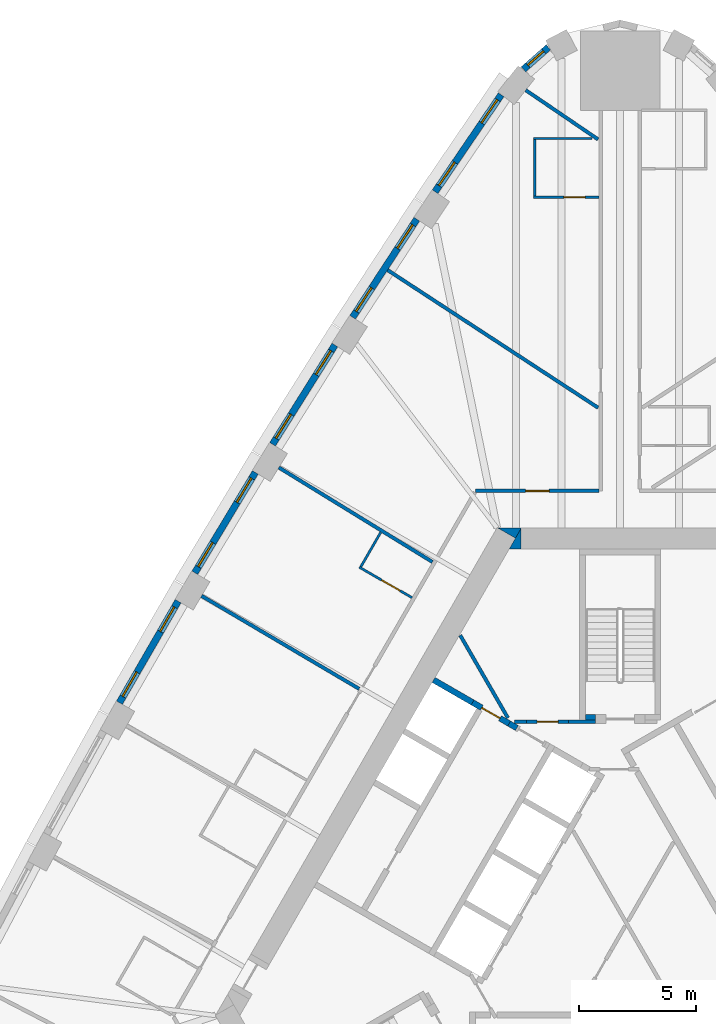
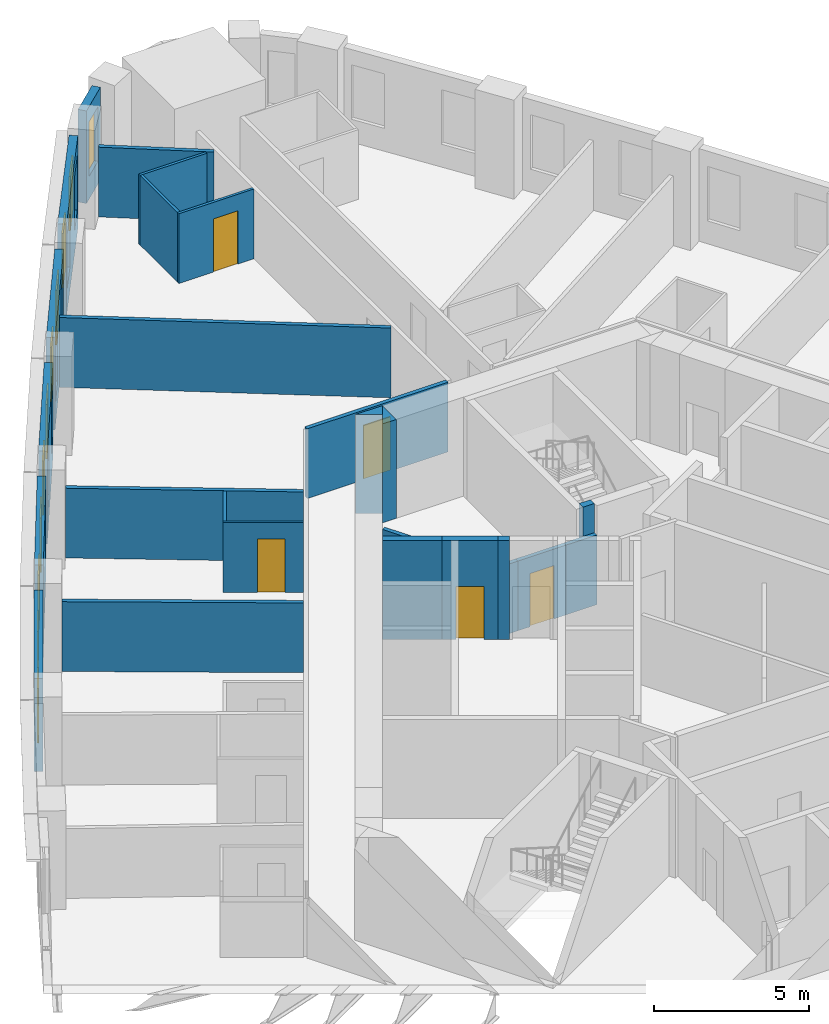
# One storey, part 9 of 12: 26 walls, 11 windows, 5 doors, 16 openings.
"""IFC4 building model written with IfcOpenShell, lengths in metres."""

from ifc_helpers import new_model, si_unit, direction, frame, frame_2d, origin, place, context, subcontext, project, spatial, polyline, rectangle, outline, extrude, material, layer, layer_set, type_object, element, fill, save


model = new_model("IFC4")

# Units and contexts
model_context = context("Model", 3, precision=1e-05, world=origin(), true_north=direction((0.0, 1.0)))
body_context = subcontext(model_context, "Body", "Model", "MODEL_VIEW")
ifc_project = project(units=[si_unit("LENGTHUNIT", "METRE"), si_unit("AREAUNIT", "SQUARE_METRE"), si_unit("VOLUMEUNIT", "CUBIC_METRE"), si_unit("PLANEANGLEUNIT", "RADIAN"), si_unit("MASSUNIT", "GRAM", prefix="KILO")], contexts=[model_context])

# Site, building, storey
site_placement = place(None, origin())
site = spatial("IfcSite", under=ifc_project, at=site_placement, CompositionType="ELEMENT")
building_placement = place(site_placement, origin())
building = spatial("IfcBuilding", under=site, at=building_placement, Name="Mestral Congress Tower", CompositionType="ELEMENT")
storey_placement = place(building_placement, frame((0.0, 0.0, 43.199951171875)))
storey = spatial("IfcBuildingStorey", under=building, at=storey_placement, Name="L09", CompositionType="ELEMENT", Elevation=43.199951171875)

# Walls
ifc_material_1 = material(Name="Fire-rated board partition")
ifc_layer_1 = layer(ifc_material_1, 0.14990234375)
ifc_layer_set_1 = layer_set([ifc_layer_1], Name="Fire-rated board partition")
wall_type_1 = type_object("IfcWallType", Name="Core partition 150", PredefinedType="PARTITIONING", material=ifc_layer_set_1)
wall_1_placement = place(storey_placement, frame((-2.195068359375, 8.62548828125, 0.0), z_axis=(0.0, 0.0, 1.0), x_axis=(1.0, 0.0, 0.0)))
element("IfcWall", 1, at=wall_1_placement, inside=storey, type_object=wall_type_1, Name="L09 core wall", PredefinedType="PARTITIONING", context=body_context, shape_type="SweptSolid", body=[
    extrude(rectangle(XDim=1.14501953125, YDim=0.14990234375, at=frame_2d((0.572509765625, 0.0))), origin(), (0.0, 0.0, 1.0), 2.75),
])
wall_2_placement = place(storey_placement, frame((-6.8232421875, 12.318115234375, 0.0), z_axis=(0.0, 0.0, 1.0), x_axis=(0.500007885066, -0.866020851292, 0.0)))
element("IfcWall", 2, at=wall_2_placement, inside=storey, type_object=wall_type_1, Name="L09 core wall", PredefinedType="PARTITIONING", context=body_context, shape_type="SweptSolid", body=[
    extrude(rectangle(XDim=4.072265625, YDim=0.14990234375, at=frame_2d((2.0361328125, 0.0))), origin(), (0.0, 0.0, 1.0), 2.75),
])
wall_3_placement = place(storey_placement, frame((-4.497802734375, 8.625244140625, 0.0), z_axis=(0.0, 0.0, 1.0), x_axis=(1.0, 0.0, 0.0)))
element("IfcWall", 3, at=wall_3_placement, inside=storey, type_object=wall_type_1, Name="L09 core wall", PredefinedType="PARTITIONING", context=body_context, shape_type="SweptSolid", body=[
    extrude(rectangle(XDim=0.50244140625, YDim=0.14990234375, at=frame_2d((0.251220703125, 0.0))), origin(), (0.0, 0.0, 1.0), 2.75),
])

# Wall, opening, door
wall_4_placement = place(storey_placement, frame((-2.1953125, 8.625, 0.0), z_axis=(0.0, 0.0, 1.0), x_axis=(-1.0, 0.0, 0.0)))
wall_4 = element("IfcWall", 4, at=wall_4_placement, inside=storey, type_object=wall_type_1, Name="L09 door wall", PredefinedType="PARTITIONING", context=body_context, shape_type="SweptSolid", body=[
    extrude(rectangle(XDim=1.7998046875, YDim=0.14990234375, at=frame_2d((0.89990234375, 0.0))), origin(), (0.0, 0.0, 1.0), 2.75),
])
opening_1_placement = place(wall_4_placement, frame((0.449951171875, 0.0, 0.0)))
opening_1 = element("IfcOpeningElement", 5, at=opening_1_placement, cuts=wall_4, Name="Opening TD2", PredefinedType="OPENING", context=body_context, shape_type="SweptSolid", body=[
    extrude(rectangle(XDim=0.89990234375, YDim=2.10009765625, at=frame_2d((0.449951171875, 1.050048828125))), frame((0.0, 0.0849609375, 0.0), z_axis=(0.0, -1.0, 0.0), x_axis=(1.0, 0.0, 0.0)), (0.0, 0.0, 1.0), 0.169921875),
])
ifc_material_2 = material(Name="Fire-rated steel door set", Category="steel")
door_type_1 = type_object("IfcDoorType", Name="Core door SR 900x2100", OperationType="SINGLE_SWING_LEFT", PredefinedType="DOOR", material=ifc_material_2)
door_1_placement = place(opening_1_placement, origin())
door_1 = element("IfcDoor", 6, at=door_1_placement, inside=storey, type_object=door_type_1, Name="Door TD2", OperationType="SINGLE_SWING_LEFT", OverallHeight=2.10009765625, OverallWidth=0.89990234375, PredefinedType="DOOR", context=body_context, shape_type="SweptSolid", body=[
    extrude(rectangle(XDim=0.89990234375, YDim=2.10009765625, at=frame_2d((0.449951171875, 1.050048828125))), frame((0.0, 0.02490234375, 0.0), z_axis=(0.0, -1.0, 0.0), x_axis=(1.0, 0.0, 0.0)), (0.0, 0.0, 1.0), 0.050048828125),
])
fill(opening_1, door_1)

# Walls
ifc_material_3 = material(Name="Concrete C60/75", Category="concrete")
ifc_layer_2 = layer(ifc_material_3, 0.89990234375)
ifc_layer_set_2 = layer_set([ifc_layer_2], Name="Concrete C60/75")
wall_type_2 = type_object("IfcWallType", Name="Core wall RC 900", PredefinedType="SOLIDWALL", material=ifc_layer_set_2)
placement = place(storey_placement, origin())
element("IfcWall", 7, at=placement, inside=storey, type_object=wall_type_2, Name="L09 core wall", PredefinedType="SOLIDWALL", context=body_context, shape_type="SweptSolid", body=[
    extrude(outline(polyline([(-4.214599609375, 16.89990234375), (-4.46875, 16.460205078125), (-5.230712890625, 16.89990234375), (-4.214599609375, 16.89990234375)])), origin(), (0.0, 0.0, 1.0), 3.900146484375),
])
element("IfcWall", 8, at=placement, inside=storey, type_object=wall_type_2, Name="L09 core wall", PredefinedType="SOLIDWALL", context=body_context, shape_type="SweptSolid", body=[
    extrude(outline(polyline([(-4.734375, 16.0), (-4.226318359375, 16.8798828125), (-4.226318359375, 16.0), (-4.734375, 16.0)])), origin(), (0.0, 0.0, 1.0), 3.900146484375),
])

# Wall, opening, window
ifc_material_4 = material(Name="Precast concrete C40/50 with limestone facing", Category="masonry")
ifc_layer_3 = layer(ifc_material_4, 0.2900390625)
ifc_layer_set_3 = layer_set([ifc_layer_3], Name="Precast concrete C40/50 with limestone facing")
wall_type_3 = type_object("IfcWallType", Name="Facade stone wall 290", PredefinedType="SOLIDWALL", material=ifc_layer_set_3)
wall_7_placement = place(storey_placement, frame((-3.064453125, 37.395263671875, 0.0), z_axis=(0.0, 0.0, 1.0), x_axis=(-0.749812680302, -0.661650167731, 0.0)))
wall_7 = element("IfcWall", 9, at=wall_7_placement, inside=storey, type_object=wall_type_3, Name="Facade wall K1-3", PredefinedType="SOLIDWALL", context=body_context, shape_type="SweptSolid", body=[
    extrude(rectangle(XDim=1.4150390625, YDim=0.2900390625, at=frame_2d((0.70751953125, 0.0))), origin(), (0.0, 0.0, 1.0), 3.650146484375),
])
opening_2_placement = place(wall_7_placement, frame((0.257568359375, 0.0, 0.89990234375)))
opening_2 = element("IfcOpeningElement", 10, at=opening_2_placement, cuts=wall_7, Name="Opening W3", PredefinedType="OPENING", context=body_context, shape_type="SweptSolid", body=[
    extrude(rectangle(XDim=0.89990234375, YDim=2.14990234375, at=frame_2d((0.449951171875, 1.074951171875))), frame((0.0, 0.155029296875, 0.0), z_axis=(0.0, -1.0, 0.0), x_axis=(1.0, 0.0, 0.0)), (0.0, 0.0, 1.0), 0.31005859375),
])
ifc_material_5 = material(Name="Clear low-emissivity double glazing", Category="glass")
window_type_1 = type_object("IfcWindowType", Name="Facade punched window 900 x 2150 sill 900", PartitioningType="SINGLE_PANEL", PredefinedType="WINDOW", material=ifc_material_5)
window_1_placement = place(opening_2_placement, origin())
window_1 = element("IfcWindow", 11, at=window_1_placement, inside=storey, type_object=window_type_1, Name="Window K1-3", OverallHeight=2.14990234375, OverallWidth=0.89990234375, PartitioningType="SINGLE_PANEL", PredefinedType="WINDOW", context=body_context, shape_type="SweptSolid", body=[
    extrude(rectangle(XDim=0.89990234375, YDim=2.14990234375, at=frame_2d((0.449951171875, 1.074951171875))), frame((0.0, 0.01513671875, 0.0), z_axis=(0.0, -1.0, 0.0), x_axis=(1.0, 0.0, 0.0)), (0.0, 0.0, 1.0), 0.06005859375),
])
fill(opening_2, window_1)

# Wall, openings, windows
wall_8_placement = place(storey_placement, frame((-5.078369140625, 35.37646484375, 0.0), z_axis=(0.0, 0.0, 1.0), x_axis=(-0.562610153679, -0.826722332454, 0.0)))
wall_8 = element("IfcWall", 12, at=wall_8_placement, inside=storey, type_object=wall_type_3, Name="Facade wall F2-00", PredefinedType="SOLIDWALL", context=body_context, shape_type="SweptSolid", body=[
    extrude(rectangle(XDim=5.005615234375, YDim=0.2900390625, at=frame_2d((2.5029296875, 0.0))), origin(), (0.0, 0.0, 1.0), 3.650146484375),
])
opening_3_placement = place(wall_8_placement, frame((0.26513671875, 0.0, 0.89990234375)))
opening_3 = element("IfcOpeningElement", 13, at=opening_3_placement, cuts=wall_8, Name="Opening W1", PredefinedType="OPENING", context=body_context, shape_type="SweptSolid", body=[
    extrude(rectangle(XDim=1.199951171875, YDim=2.14990234375, at=frame_2d((0.60009765625, 1.074951171875))), frame((0.0, 0.155029296875, 0.0), z_axis=(0.0, -1.0, 0.0), x_axis=(1.0, 0.0, 0.0)), (0.0, 0.0, 1.0), 0.31005859375),
])
opening_4_placement = place(wall_8_placement, frame((3.495361328125, 0.0, 0.89990234375)))
opening_4 = element("IfcOpeningElement", 14, at=opening_4_placement, cuts=wall_8, Name="Opening W1", PredefinedType="OPENING", context=body_context, shape_type="SweptSolid", body=[
    extrude(rectangle(XDim=1.199951171875, YDim=2.14990234375, at=frame_2d((0.60009765625, 1.074951171875))), frame((0.0, 0.155029296875, 0.0), z_axis=(0.0, -1.0, 0.0), x_axis=(1.0, 0.0, 0.0)), (0.0, 0.0, 1.0), 0.31005859375),
])
window_type_2 = type_object("IfcWindowType", Name="Facade punched window 1200 x 2150 sill 900", PartitioningType="DOUBLE_PANEL_VERTICAL", PredefinedType="WINDOW", material=ifc_material_5)
window_2_placement = place(opening_3_placement, origin())
window_2 = element("IfcWindow", 15, at=window_2_placement, inside=storey, type_object=window_type_2, Name="Window F2-00a", OverallHeight=2.14990234375, OverallWidth=1.199951171875, PartitioningType="DOUBLE_PANEL_VERTICAL", PredefinedType="WINDOW", context=body_context, shape_type="SweptSolid", body=[
    extrude(rectangle(XDim=1.199951171875, YDim=2.14990234375, at=frame_2d((0.60009765625, 1.074951171875))), frame((0.0, 0.01513671875, 0.0), z_axis=(0.0, -1.0, 0.0), x_axis=(1.0, 0.0, 0.0)), (0.0, 0.0, 1.0), 0.06005859375),
])
fill(opening_3, window_2)
window_3_placement = place(opening_4_placement, origin())
window_3 = element("IfcWindow", 16, at=window_3_placement, inside=storey, type_object=window_type_2, Name="Window F2-00b", OverallHeight=2.14990234375, OverallWidth=1.199951171875, PartitioningType="DOUBLE_PANEL_VERTICAL", PredefinedType="WINDOW", context=body_context, shape_type="SweptSolid", body=[
    extrude(rectangle(XDim=1.199951171875, YDim=2.14990234375, at=frame_2d((0.60009765625, 1.074951171875))), frame((0.0, 0.01513671875, 0.0), z_axis=(0.0, -1.0, 0.0), x_axis=(1.0, 0.0, 0.0)), (0.0, 0.0, 1.0), 0.06005859375),
])
fill(opening_4, window_3)

wall_9_placement = place(storey_placement, frame((-8.675537109375, 30.067626953125, 0.0), z_axis=(0.0, 0.0, 1.0), x_axis=(-0.547204617628, -0.836998868845, 0.0)))
wall_9 = element("IfcWall", 17, at=wall_9_placement, inside=storey, type_object=wall_type_3, Name="Facade wall F2-01", PredefinedType="SOLIDWALL", context=body_context, shape_type="SweptSolid", body=[
    extrude(rectangle(XDim=4.998291015625, YDim=0.2900390625, at=frame_2d((2.4990234375, 0.0))), origin(), (0.0, 0.0, 1.0), 3.650146484375),
])
opening_5_placement = place(wall_9_placement, frame((0.297119140625, 0.0, 0.89990234375)))
opening_5 = element("IfcOpeningElement", 18, at=opening_5_placement, cuts=wall_9, Name="Opening W1", PredefinedType="OPENING", context=body_context, shape_type="SweptSolid", body=[
    extrude(rectangle(XDim=1.199951171875, YDim=2.14990234375, at=frame_2d((0.60009765625, 1.074951171875))), frame((0.0, 0.155029296875, 0.0), z_axis=(0.0, -1.0, 0.0), x_axis=(1.0, 0.0, 0.0)), (0.0, 0.0, 1.0), 0.31005859375),
])
opening_6_placement = place(wall_9_placement, frame((3.501220703125, 0.0, 0.89990234375)))
opening_6 = element("IfcOpeningElement", 19, at=opening_6_placement, cuts=wall_9, Name="Opening W1", PredefinedType="OPENING", context=body_context, shape_type="SweptSolid", body=[
    extrude(rectangle(XDim=1.199951171875, YDim=2.14990234375, at=frame_2d((0.60009765625, 1.074951171875))), frame((0.0, 0.155029296875, 0.0), z_axis=(0.0, -1.0, 0.0), x_axis=(1.0, 0.0, 0.0)), (0.0, 0.0, 1.0), 0.31005859375),
])
window_4_placement = place(opening_5_placement, origin())
window_4 = element("IfcWindow", 20, at=window_4_placement, inside=storey, type_object=window_type_2, Name="Window F2-01a", OverallHeight=2.14990234375, OverallWidth=1.199951171875, PartitioningType="DOUBLE_PANEL_VERTICAL", PredefinedType="WINDOW", context=body_context, shape_type="SweptSolid", body=[
    extrude(rectangle(XDim=1.199951171875, YDim=2.14990234375, at=frame_2d((0.60009765625, 1.074951171875))), frame((0.0, 0.01513671875, 0.0), z_axis=(0.0, -1.0, 0.0), x_axis=(1.0, 0.0, 0.0)), (0.0, 0.0, 1.0), 0.06005859375),
])
fill(opening_5, window_4)
window_5_placement = place(opening_6_placement, origin())
window_5 = element("IfcWindow", 21, at=window_5_placement, inside=storey, type_object=window_type_2, Name="Window F2-01b", OverallHeight=2.14990234375, OverallWidth=1.199951171875, PartitioningType="DOUBLE_PANEL_VERTICAL", PredefinedType="WINDOW", context=body_context, shape_type="SweptSolid", body=[
    extrude(rectangle(XDim=1.199951171875, YDim=2.14990234375, at=frame_2d((0.60009765625, 1.074951171875))), frame((0.0, 0.01513671875, 0.0), z_axis=(0.0, -1.0, 0.0), x_axis=(1.0, 0.0, 0.0)), (0.0, 0.0, 1.0), 0.06005859375),
])
fill(opening_6, window_5)

wall_10_placement = place(storey_placement, frame((-12.169921875, 24.69921875, 0.0), z_axis=(0.0, 0.0, 1.0), x_axis=(-0.531688286542, -0.846940119462, 0.0)))
wall_10 = element("IfcWall", 22, at=wall_10_placement, inside=storey, type_object=wall_type_3, Name="Facade wall F2-02", PredefinedType="SOLIDWALL", context=body_context, shape_type="SweptSolid", body=[
    extrude(rectangle(XDim=4.998291015625, YDim=0.2900390625, at=frame_2d((2.4990234375, 0.0))), origin(), (0.0, 0.0, 1.0), 3.650146484375),
])
opening_7_placement = place(wall_10_placement, frame((0.297119140625, 0.0, 0.89990234375)))
opening_7 = element("IfcOpeningElement", 23, at=opening_7_placement, cuts=wall_10, Name="Opening W1", PredefinedType="OPENING", context=body_context, shape_type="SweptSolid", body=[
    extrude(rectangle(XDim=1.199951171875, YDim=2.14990234375, at=frame_2d((0.60009765625, 1.074951171875))), frame((0.0, 0.155029296875, 0.0), z_axis=(0.0, -1.0, 0.0), x_axis=(1.0, 0.0, 0.0)), (0.0, 0.0, 1.0), 0.31005859375),
])
opening_8_placement = place(wall_10_placement, frame((3.501220703125, 0.0, 0.89990234375)))
opening_8 = element("IfcOpeningElement", 24, at=opening_8_placement, cuts=wall_10, Name="Opening W1", PredefinedType="OPENING", context=body_context, shape_type="SweptSolid", body=[
    extrude(rectangle(XDim=1.199951171875, YDim=2.14990234375, at=frame_2d((0.60009765625, 1.074951171875))), frame((0.0, 0.155029296875, 0.0), z_axis=(0.0, -1.0, 0.0), x_axis=(1.0, 0.0, 0.0)), (0.0, 0.0, 1.0), 0.31005859375),
])
window_6_placement = place(opening_7_placement, origin())
window_6 = element("IfcWindow", 25, at=window_6_placement, inside=storey, type_object=window_type_2, Name="Window F2-02a", OverallHeight=2.14990234375, OverallWidth=1.199951171875, PartitioningType="DOUBLE_PANEL_VERTICAL", PredefinedType="WINDOW", context=body_context, shape_type="SweptSolid", body=[
    extrude(rectangle(XDim=1.199951171875, YDim=2.14990234375, at=frame_2d((0.60009765625, 1.074951171875))), frame((0.0, 0.01513671875, 0.0), z_axis=(0.0, -1.0, 0.0), x_axis=(1.0, 0.0, 0.0)), (0.0, 0.0, 1.0), 0.06005859375),
])
fill(opening_7, window_6)
window_7_placement = place(opening_8_placement, origin())
window_7 = element("IfcWindow", 26, at=window_7_placement, inside=storey, type_object=window_type_2, Name="Window F2-02b", OverallHeight=2.14990234375, OverallWidth=1.199951171875, PartitioningType="DOUBLE_PANEL_VERTICAL", PredefinedType="WINDOW", context=body_context, shape_type="SweptSolid", body=[
    extrude(rectangle(XDim=1.199951171875, YDim=2.14990234375, at=frame_2d((0.60009765625, 1.074951171875))), frame((0.0, 0.01513671875, 0.0), z_axis=(0.0, -1.0, 0.0), x_axis=(1.0, 0.0, 0.0)), (0.0, 0.0, 1.0), 0.06005859375),
])
fill(opening_8, window_7)

wall_11_placement = place(storey_placement, frame((-15.564453125, 19.267333984375, 0.0), z_axis=(0.0, 0.0, 1.0), x_axis=(-0.515938796285, -0.856625448191, 0.0)))
wall_11 = element("IfcWall", 27, at=wall_11_placement, inside=storey, type_object=wall_type_3, Name="Facade wall F2-03", PredefinedType="SOLIDWALL", context=body_context, shape_type="SweptSolid", body=[
    extrude(rectangle(XDim=4.998291015625, YDim=0.2900390625, at=frame_2d((2.4990234375, 0.0))), origin(), (0.0, 0.0, 1.0), 3.650146484375),
])
opening_9_placement = place(wall_11_placement, frame((0.297119140625, 0.0, 0.89990234375)))
opening_9 = element("IfcOpeningElement", 28, at=opening_9_placement, cuts=wall_11, Name="Opening W1", PredefinedType="OPENING", context=body_context, shape_type="SweptSolid", body=[
    extrude(rectangle(XDim=1.199951171875, YDim=2.14990234375, at=frame_2d((0.60009765625, 1.074951171875))), frame((0.0, 0.155029296875, 0.0), z_axis=(0.0, -1.0, 0.0), x_axis=(1.0, 0.0, 0.0)), (0.0, 0.0, 1.0), 0.31005859375),
])
opening_10_placement = place(wall_11_placement, frame((3.501220703125, 0.0, 0.89990234375)))
opening_10 = element("IfcOpeningElement", 29, at=opening_10_placement, cuts=wall_11, Name="Opening W1", PredefinedType="OPENING", context=body_context, shape_type="SweptSolid", body=[
    extrude(rectangle(XDim=1.199951171875, YDim=2.14990234375, at=frame_2d((0.60009765625, 1.074951171875))), frame((0.0, 0.155029296875, 0.0), z_axis=(0.0, -1.0, 0.0), x_axis=(1.0, 0.0, 0.0)), (0.0, 0.0, 1.0), 0.31005859375),
])
window_8_placement = place(opening_9_placement, origin())
window_8 = element("IfcWindow", 30, at=window_8_placement, inside=storey, type_object=window_type_2, Name="Window F2-03a", OverallHeight=2.14990234375, OverallWidth=1.199951171875, PartitioningType="DOUBLE_PANEL_VERTICAL", PredefinedType="WINDOW", context=body_context, shape_type="SweptSolid", body=[
    extrude(rectangle(XDim=1.199951171875, YDim=2.14990234375, at=frame_2d((0.60009765625, 1.074951171875))), frame((0.0, 0.01513671875, 0.0), z_axis=(0.0, -1.0, 0.0), x_axis=(1.0, 0.0, 0.0)), (0.0, 0.0, 1.0), 0.06005859375),
])
fill(opening_9, window_8)
window_9_placement = place(opening_10_placement, origin())
window_9 = element("IfcWindow", 31, at=window_9_placement, inside=storey, type_object=window_type_2, Name="Window F2-03b", OverallHeight=2.14990234375, OverallWidth=1.199951171875, PartitioningType="DOUBLE_PANEL_VERTICAL", PredefinedType="WINDOW", context=body_context, shape_type="SweptSolid", body=[
    extrude(rectangle(XDim=1.199951171875, YDim=2.14990234375, at=frame_2d((0.60009765625, 1.074951171875))), frame((0.0, 0.01513671875, 0.0), z_axis=(0.0, -1.0, 0.0), x_axis=(1.0, 0.0, 0.0)), (0.0, 0.0, 1.0), 0.06005859375),
])
fill(opening_10, window_9)

wall_12_placement = place(storey_placement, frame((-18.85791015625, 13.7734375, 0.0), z_axis=(0.0, 0.0, 1.0), x_axis=(-0.50002123722, -0.866013142123, 0.0)))
wall_12 = element("IfcWall", 32, at=wall_12_placement, inside=storey, type_object=wall_type_3, Name="Facade wall F2-04", PredefinedType="SOLIDWALL", context=body_context, shape_type="SweptSolid", body=[
    extrude(rectangle(XDim=4.998291015625, YDim=0.2900390625, at=frame_2d((2.4990234375, 0.0))), origin(), (0.0, 0.0, 1.0), 3.650146484375),
])
opening_11_placement = place(wall_12_placement, frame((0.297119140625, 0.0, 0.89990234375)))
opening_11 = element("IfcOpeningElement", 33, at=opening_11_placement, cuts=wall_12, Name="Opening W1", PredefinedType="OPENING", context=body_context, shape_type="SweptSolid", body=[
    extrude(rectangle(XDim=1.199951171875, YDim=2.14990234375, at=frame_2d((0.60009765625, 1.074951171875))), frame((0.0, 0.155029296875, 0.0), z_axis=(0.0, -1.0, 0.0), x_axis=(1.0, 0.0, 0.0)), (0.0, 0.0, 1.0), 0.31005859375),
])
opening_12_placement = place(wall_12_placement, frame((3.501220703125, 0.0, 0.89990234375)))
opening_12 = element("IfcOpeningElement", 34, at=opening_12_placement, cuts=wall_12, Name="Opening W1", PredefinedType="OPENING", context=body_context, shape_type="SweptSolid", body=[
    extrude(rectangle(XDim=1.199951171875, YDim=2.14990234375, at=frame_2d((0.60009765625, 1.074951171875))), frame((0.0, 0.155029296875, 0.0), z_axis=(0.0, -1.0, 0.0), x_axis=(1.0, 0.0, 0.0)), (0.0, 0.0, 1.0), 0.31005859375),
])
window_10_placement = place(opening_11_placement, origin())
window_10 = element("IfcWindow", 35, at=window_10_placement, inside=storey, type_object=window_type_2, Name="Window F2-04a", OverallHeight=2.14990234375, OverallWidth=1.199951171875, PartitioningType="DOUBLE_PANEL_VERTICAL", PredefinedType="WINDOW", context=body_context, shape_type="SweptSolid", body=[
    extrude(rectangle(XDim=1.199951171875, YDim=2.14990234375, at=frame_2d((0.60009765625, 1.074951171875))), frame((0.0, 0.01513671875, 0.0), z_axis=(0.0, -1.0, 0.0), x_axis=(1.0, 0.0, 0.0)), (0.0, 0.0, 1.0), 0.06005859375),
])
fill(opening_11, window_10)
window_11_placement = place(opening_12_placement, origin())
window_11 = element("IfcWindow", 36, at=window_11_placement, inside=storey, type_object=window_type_2, Name="Window F2-04b", OverallHeight=2.14990234375, OverallWidth=1.199951171875, PartitioningType="DOUBLE_PANEL_VERTICAL", PredefinedType="WINDOW", context=body_context, shape_type="SweptSolid", body=[
    extrude(rectangle(XDim=1.199951171875, YDim=2.14990234375, at=frame_2d((0.60009765625, 1.074951171875))), frame((0.0, 0.01513671875, 0.0), z_axis=(0.0, -1.0, 0.0), x_axis=(1.0, 0.0, 0.0)), (0.0, 0.0, 1.0), 0.06005859375),
])
fill(opening_12, window_11)

# Wall, opening, door
ifc_material_6 = material(Name="Gypsum board partition on metal studs with mineral wool", Category="composite")
ifc_layer_4 = layer(ifc_material_6, 0.10009765625)
ifc_layer_set_4 = layer_set([ifc_layer_4], Name="Gypsum board partition on metal studs with mineral wool")
wall_type_4 = type_object("IfcWallType", Name="Hotel partition wall 100", PredefinedType="PARTITIONING", material=ifc_layer_set_4)
wall_13_placement = place(storey_placement, frame((-3.699951171875, 31.008544921875, 0.0), z_axis=(0.0, 0.0, 1.0), x_axis=(1.0, 0.0, 0.0)))
wall_13 = element("IfcWall", 37, at=wall_13_placement, inside=storey, type_object=wall_type_4, Name="L09-h-pod19a", PredefinedType="PARTITIONING", context=body_context, shape_type="SweptSolid", body=[
    extrude(rectangle(XDim=2.800048828125, YDim=0.10009765625, at=frame_2d((1.39990234375, 0.0))), origin(), (0.0, 0.0, 1.0), 2.75),
])
opening_13_placement = place(wall_13_placement, frame((1.300048828125, 0.0, 0.0)))
opening_13 = element("IfcOpeningElement", 38, at=opening_13_placement, cuts=wall_13, Name="Opening H02-031", PredefinedType="OPENING", context=body_context, shape_type="SweptSolid", body=[
    extrude(rectangle(XDim=0.89990234375, YDim=2.10009765625, at=frame_2d((0.449951171875, 1.050048828125))), frame((0.0, 0.06005859375, 0.0), z_axis=(0.0, -1.0, 0.0), x_axis=(1.0, 0.0, 0.0)), (0.0, 0.0, 1.0), 0.1201171875),
])
ifc_material_7 = material(Name="Timber veneer door leaf in timber frame", Category="wood")
door_type_2 = type_object("IfcDoorType", Name="Bathroom door 900", OperationType="SINGLE_SWING_LEFT", PredefinedType="DOOR", material=ifc_material_7)
door_2_placement = place(opening_13_placement, origin())
door_2 = element("IfcDoor", 39, at=door_2_placement, inside=storey, type_object=door_type_2, Name="L09-h-d031", OperationType="SINGLE_SWING_LEFT", OverallHeight=2.10009765625, OverallWidth=0.89990234375, PredefinedType="DOOR", context=body_context, shape_type="SweptSolid", body=[
    extrude(rectangle(XDim=0.89990234375, YDim=2.10009765625, at=frame_2d((0.449951171875, 1.050048828125))), frame((0.0, 0.02490234375, 0.0), z_axis=(0.0, -1.0, 0.0), x_axis=(1.0, 0.0, 0.0)), (0.0, 0.0, 1.0), 0.050048828125),
])
fill(opening_13, door_2)

# Walls
wall_14_placement = place(storey_placement, frame((-3.64990234375, 31.05859375, 0.0), z_axis=(0.0, 0.0, 1.0), x_axis=(0.0, 1.0, 0.0)))
element("IfcWall", 40, at=wall_14_placement, inside=storey, type_object=wall_type_4, Name="L09-h-pod19b", PredefinedType="PARTITIONING", context=body_context, shape_type="SweptSolid", body=[
    extrude(rectangle(XDim=2.39990234375, YDim=0.10009765625, at=frame_2d((1.199951171875, 0.0))), origin(), (0.0, 0.0, 1.0), 2.75),
])
wall_15_placement = place(storey_placement, frame((-1.199951171875, 33.508544921875, 0.0), z_axis=(0.0, 0.0, 1.0), x_axis=(-1.0, 0.0, 0.0)))
element("IfcWall", 41, at=wall_15_placement, inside=storey, type_object=wall_type_4, Name="L09-h-pod19c", PredefinedType="PARTITIONING", context=body_context, shape_type="SweptSolid", body=[
    extrude(rectangle(XDim=2.5, YDim=0.10009765625, at=frame_2d((1.25, 0.0))), origin(), (0.0, 0.0, 1.0), 2.75),
])

# Wall, opening, door
wall_16_placement = place(storey_placement, frame((-11.12890625, 15.22412109375, 0.0), z_axis=(0.0, 0.0, 1.0), x_axis=(0.866021400173, -0.500006934395, 0.0)))
wall_16 = element("IfcWall", 42, at=wall_16_placement, inside=storey, type_object=wall_type_4, Name="L09-h-pod21a", PredefinedType="PARTITIONING", context=body_context, shape_type="SweptSolid", body=[
    extrude(rectangle(XDim=2.60009765625, YDim=0.10009765625, at=frame_2d((1.300048828125, 0.0))), origin(), (0.0, 0.0, 1.0), 2.75),
])
opening_14_placement = place(wall_16_placement, frame((1.10009765625, 0.0, 0.0)))
opening_14 = element("IfcOpeningElement", 43, at=opening_14_placement, cuts=wall_16, Name="Opening H02-034", PredefinedType="OPENING", context=body_context, shape_type="SweptSolid", body=[
    extrude(rectangle(XDim=0.89990234375, YDim=2.10009765625, at=frame_2d((0.449951171875, 1.050048828125))), frame((0.0, 0.06005859375, 0.0), z_axis=(0.0, -1.0, 0.0), x_axis=(1.0, 0.0, 0.0)), (0.0, 0.0, 1.0), 0.1201171875),
])
door_3_placement = place(opening_14_placement, origin())
door_3 = element("IfcDoor", 44, at=door_3_placement, inside=storey, type_object=door_type_2, Name="L09-h-d034", OperationType="SINGLE_SWING_RIGHT", OverallHeight=2.10009765625, OverallWidth=0.89990234375, PredefinedType="DOOR", context=body_context, shape_type="SweptSolid", body=[
    extrude(rectangle(XDim=0.89990234375, YDim=2.10009765625, at=frame_2d((0.449951171875, 1.050048828125))), frame((0.0, 0.02490234375, 0.0), z_axis=(0.0, -1.0, 0.0), x_axis=(1.0, 0.0, 0.0)), (0.0, 0.0, 1.0), 0.050048828125),
])
fill(opening_14, door_3)

# Wall
wall_17_placement = place(storey_placement, frame((-11.060791015625, 15.2421875, 0.0), z_axis=(0.0, 0.0, 1.0), x_axis=(0.499976720371, 0.866038843867, 0.0)))
element("IfcWall", 45, at=wall_17_placement, inside=storey, type_object=wall_type_4, Name="L09-h-pod21b", PredefinedType="PARTITIONING", context=body_context, shape_type="SweptSolid", body=[
    extrude(rectangle(XDim=1.68994140625, YDim=0.10009765625, at=frame_2d((0.844970703125, 0.0))), origin(), (0.0, 0.0, 1.0), 2.75),
])

# Wall, opening, door
ifc_layer_5 = layer(ifc_material_6, 0.14990234375)
ifc_layer_set_5 = layer_set([ifc_layer_5], Name="Gypsum board partition on metal studs with mineral wool")
wall_type_5 = type_object("IfcWallType", Name="Hotel partition wall 150", PredefinedType="PARTITIONING", material=ifc_layer_set_5)
wall_18_placement = place(storey_placement, frame((-6.1630859375, 18.47509765625, 0.0), z_axis=(0.0, 0.0, 1.0), x_axis=(1.0, 0.0, 0.0)))
wall_18 = element("IfcWall", 46, at=wall_18_placement, inside=storey, type_object=wall_type_5, Name="L09-h-cw07", PredefinedType="PARTITIONING", context=body_context, shape_type="SweptSolid", body=[
    extrude(rectangle(XDim=5.258056640625, YDim=0.14990234375, at=frame_2d((2.62890625, 0.0))), origin(), (0.0, 0.0, 1.0), 2.75),
])
opening_15_placement = place(wall_18_placement, frame((2.129150390625, 0.0, 0.0)))
opening_15 = element("IfcOpeningElement", 47, at=opening_15_placement, cuts=wall_18, Name="Opening H02-032", PredefinedType="OPENING", context=body_context, shape_type="SweptSolid", body=[
    extrude(rectangle(XDim=1.0, YDim=2.10009765625, at=frame_2d((0.5, 1.050048828125))), frame((0.0, 0.0849609375, 0.0), z_axis=(0.0, -1.0, 0.0), x_axis=(1.0, 0.0, 0.0)), (0.0, 0.0, 1.0), 0.169921875),
])
ifc_material_8 = material(Name="Timber veneer door leaf in metal frame", Category="wood")
door_type_3 = type_object("IfcDoorType", Name="Guest room entrance door 1000", OperationType="SINGLE_SWING_LEFT", PredefinedType="DOOR", material=ifc_material_8)
door_4_placement = place(opening_15_placement, origin())
door_4 = element("IfcDoor", 48, at=door_4_placement, inside=storey, type_object=door_type_3, Name="L09-h-d032", OperationType="SINGLE_SWING_RIGHT", OverallHeight=2.10009765625, OverallWidth=1.0, PredefinedType="DOOR", context=body_context, shape_type="SweptSolid", body=[
    extrude(rectangle(XDim=1.0, YDim=2.10009765625, at=frame_2d((0.5, 1.050048828125))), frame((0.0, 0.02490234375, 0.0), z_axis=(0.0, -1.0, 0.0), x_axis=(1.0, 0.0, 0.0)), (0.0, 0.0, 1.0), 0.050048828125),
])
fill(opening_15, door_4)

# Walls
wall_19_placement = place(storey_placement, frame((-17.85595703125, 13.999267578125, 0.0), z_axis=(0.0, 0.0, 1.0), x_axis=(0.861371519381, -0.507975497047, 0.0)))
element("IfcWall", 49, at=wall_19_placement, inside=storey, type_object=wall_type_5, Name="L09-h-pw09", PredefinedType="PARTITIONING", context=body_context, shape_type="SweptSolid", body=[
    extrude(rectangle(XDim=7.8037109375, YDim=0.14990234375, at=frame_2d((3.90185546875, 0.0))), origin(), (0.0, 0.0, 1.0), 2.75),
])
wall_20_placement = place(storey_placement, frame((-14.55810546875, 19.474609375, 0.0), z_axis=(0.0, 0.0, 1.0), x_axis=(0.851829455142, -0.523819223925, 0.0)))
element("IfcWall", 50, at=wall_20_placement, inside=storey, type_object=wall_type_5, Name="L09-h-pw11", PredefinedType="PARTITIONING", context=body_context, shape_type="SweptSolid", body=[
    extrude(rectangle(XDim=7.68798828125, YDim=0.14990234375, at=frame_2d((3.843994140625, 0.0))), origin(), (0.0, 0.0, 1.0), 2.75),
])
wall_21_placement = place(storey_placement, frame((-9.921630859375, 27.896484375, 0.0), z_axis=(0.0, 0.0, 1.0), x_axis=(0.836970816595, -0.547247523675, 0.0)))
element("IfcWall", 51, at=wall_21_placement, inside=storey, type_object=wall_type_5, Name="L09-h-pw12", PredefinedType="PARTITIONING", context=body_context, shape_type="SweptSolid", body=[
    extrude(rectangle(XDim=10.728759765625, YDim=0.14990234375, at=frame_2d((5.3642578125, 0.0))), origin(), (0.0, 0.0, 1.0), 2.75),
])
wall_22_placement = place(storey_placement, frame((-4.02783203125, 35.56884765625, 0.0), z_axis=(0.0, 0.0, 1.0), x_axis=(0.826730622998, -0.562597971021, 0.0)))
element("IfcWall", 52, at=wall_22_placement, inside=storey, type_object=wall_type_5, Name="L09-h-pw13", PredefinedType="PARTITIONING", context=body_context, shape_type="SweptSolid", body=[
    extrude(rectangle(XDim=3.7333984375, YDim=0.14990234375, at=frame_2d((1.86669921875, 0.0))), origin(), (0.0, 0.0, 1.0), 2.75),
])
ifc_layer_6 = layer(ifc_material_3, 0.25)
ifc_layer_set_6 = layer_set([ifc_layer_6], Name="Concrete C60/75")
wall_type_6 = type_object("IfcWallType", Name="Shaft wall RC 250", PredefinedType="SOLIDWALL", material=ifc_layer_set_6)
wall_23_placement = place(storey_placement, frame((-6.29638671875, 9.454833984375, 0.0), z_axis=(0.0, 0.0, 1.0), x_axis=(-0.866011930837, 0.500023335103, 0.0)))
element("IfcWall", 53, at=wall_23_placement, inside=storey, type_object=wall_type_6, Name="L09 core wall", PredefinedType="SOLIDWALL", context=body_context, shape_type="SweptSolid", body=[
    extrude(rectangle(XDim=1.919921875, YDim=0.25, at=frame_2d((0.9599609375, 0.0))), origin(), (0.0, 0.0, 1.0), 3.900146484375),
])
wall_24_placement = place(storey_placement, frame((-4.40869140625, 8.364990234375, 0.0), z_axis=(0.0, 0.0, 1.0), x_axis=(-0.866057014183, 0.499945245186, 0.0)))
element("IfcWall", 54, at=wall_24_placement, inside=storey, type_object=wall_type_6, Name="L09 core wall", PredefinedType="SOLIDWALL", context=body_context, shape_type="SweptSolid", body=[
    extrude(rectangle(XDim=0.37939453125, YDim=0.25, at=frame_2d((0.189697265625, 0.0))), origin(), (0.0, 0.0, 1.0), 3.900146484375),
])

# Wall, opening, door
wall_25_placement = place(storey_placement, frame((-4.7373046875, 8.5546875, 0.0), z_axis=(0.0, 0.0, 1.0), x_axis=(-0.865989075817, 0.500062916607, 0.0)))
wall_25 = element("IfcWall", 55, at=wall_25_placement, inside=storey, type_object=wall_type_6, Name="L09 door wall", PredefinedType="SOLIDWALL", context=body_context, shape_type="SweptSolid", body=[
    extrude(rectangle(XDim=1.800048828125, YDim=0.25, at=frame_2d((0.89990234375, 0.0))), origin(), (0.0, 0.0, 1.0), 3.900146484375),
])
opening_16_placement = place(wall_25_placement, frame((0.449951171875, 0.0, 0.0)))
opening_16 = element("IfcOpeningElement", 56, at=opening_16_placement, cuts=wall_25, Name="Opening SD-HUB3", PredefinedType="OPENING", context=body_context, shape_type="SweptSolid", body=[
    extrude(rectangle(XDim=0.89990234375, YDim=2.10009765625, at=frame_2d((0.449951171875, 1.050048828125))), frame((0.0, 0.135009765625, 0.0), z_axis=(0.0, -1.0, 0.0), x_axis=(1.0, 0.0, 0.0)), (0.0, 0.0, 1.0), 0.27001953125),
])
door_5_placement = place(opening_16_placement, origin())
door_5 = element("IfcDoor", 57, at=door_5_placement, inside=storey, type_object=door_type_1, Name="Door SD-HUB3", OperationType="SINGLE_SWING_LEFT", OverallHeight=2.10009765625, OverallWidth=0.89990234375, PredefinedType="DOOR", context=body_context, shape_type="SweptSolid", body=[
    extrude(rectangle(XDim=0.89990234375, YDim=2.10009765625, at=frame_2d((0.449951171875, 1.050048828125))), frame((0.0, 0.02490234375, 0.0), z_axis=(0.0, -1.0, 0.0), x_axis=(1.0, 0.0, 0.0)), (0.0, 0.0, 1.0), 0.050048828125),
])
fill(opening_16, door_5)

# Wall
ifc_layer_7 = layer(ifc_material_3, 0.25)
ifc_layer_set_7 = layer_set([ifc_layer_7], Name="Concrete C60/75")
wall_type_7 = type_object("IfcWallType", Name="Stair wall RC 250", PredefinedType="SOLIDWALL", material=ifc_layer_set_7)
wall_26_placement = place(storey_placement, frame((-1.47509765625, 8.824951171875, 0.0), z_axis=(0.0, 0.0, 1.0), x_axis=(1.0, 0.0, 0.0)))
element("IfcWall", 58, at=wall_26_placement, inside=storey, type_object=wall_type_7, Name="L09 core wall", PredefinedType="SOLIDWALL", context=body_context, shape_type="SweptSolid", body=[
    extrude(rectangle(XDim=0.425048828125, YDim=0.25, at=frame_2d((0.21240234375, 0.0))), origin(), (0.0, 0.0, 1.0), 3.900146484375),
])

save(model, "model.ifc")
